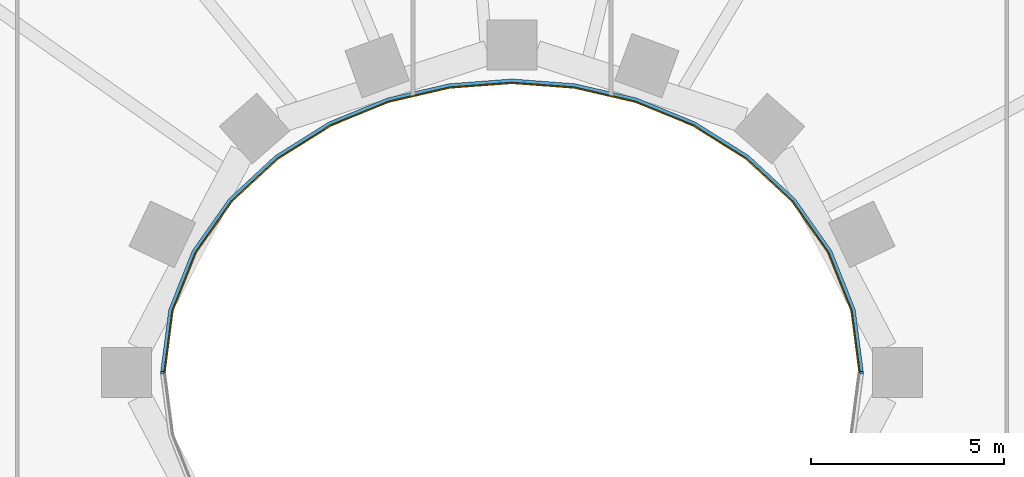
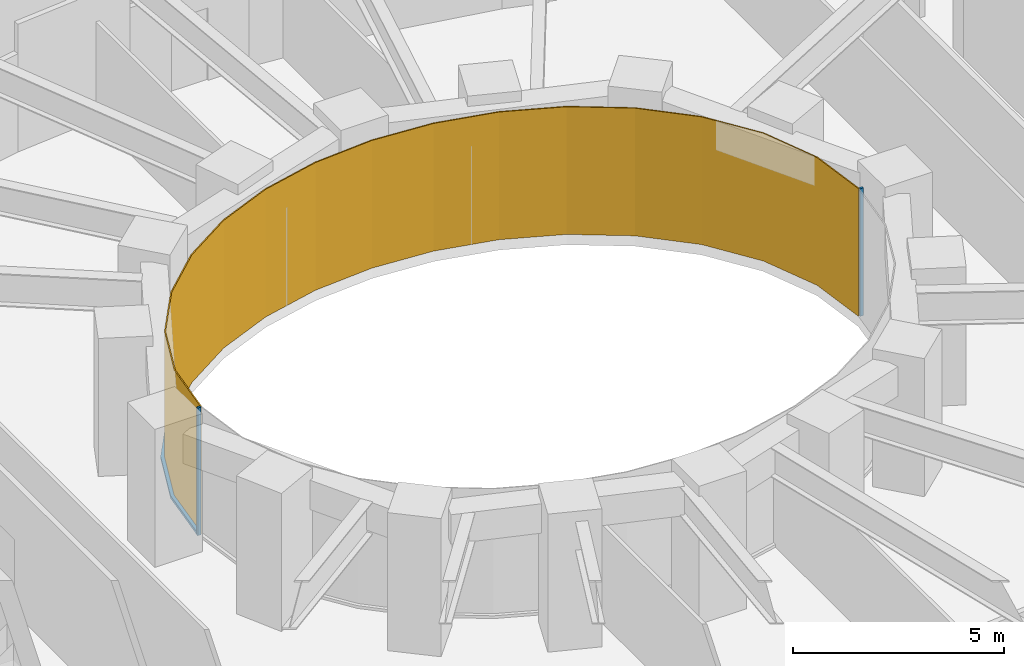
# One storey, part 12 of 16: 3 members, 1 curtain wall.
"""IFC4 building model written with IfcOpenShell, lengths in metres."""

import ifcopenshell
import ifcopenshell.guid

model = None  # the IFC model being written
_history = None  # IfcOwnerHistory: only IFC2X3 demands one
_inside = {}  # id of a spatial element -> (the spatial element, [elements in it])
_under = {}  # id of a project, library or spatial element -> (it, [spatial elements below it])
_declared = {}  # id of a project -> (the project, [libraries it declares])
_typed = {}  # id of a type object -> (the type object, [elements of that type])
_made_of = {}  # id of a material, layer set ... -> (it, [elements and type objects made of it])


def new_model(schema):
    """Start an empty IFC model of exactly this schema.

    Asked for "IFC4X3", IfcOpenShell would pick the latest addendum, in which some entities
    have other attributes; the version numbers below select the first issue.
    IFC2X3 requires an IfcOwnerHistory on every rooted entity: one is made here for all.
    """
    global model, _history
    if schema == "IFC4X3":
        model = ifcopenshell.file(schema_version=(4, 3, 0, 0))
    else:
        model = ifcopenshell.file(schema=schema)
    _inside.clear()
    _under.clear()
    _declared.clear()
    _typed.clear()
    _made_of.clear()
    _history = None
    if model.schema == "IFC2X3":
        org = make("IfcOrganization", Name="unknown")
        user = make(
            "IfcPersonAndOrganization",
            ThePerson=make("IfcPerson", FamilyName="unknown"),
            TheOrganization=org,
        )
        app = make(
            "IfcApplication",
            ApplicationDeveloper=org,
            Version="unknown",
            ApplicationFullName="unknown",
            ApplicationIdentifier="unknown",
        )
        _history = make(
            "IfcOwnerHistory",
            OwningUser=user,
            OwningApplication=app,
            ChangeAction="ADDED",
            CreationDate=0,
        )
    return model


def make(cls, **values):
    """One entity of the class cls with the attributes given. An attribute that is None is left unset."""
    return model.create_entity(
        cls, **{name: value for name, value in values.items() if value is not None}
    )


def rooted(cls, **values):
    """An entity with a GlobalId (a new one), such as an element, a storey or a relation."""
    return make(cls, GlobalId=ifcopenshell.guid.new(), OwnerHistory=_history, **values)


def si_unit(unit_type, name, prefix=None):
    """IfcSIUnit, for example si_unit("LENGTHUNIT", "METRE", prefix="MILLI")."""
    return make("IfcSIUnit", UnitType=unit_type, Prefix=prefix, Name=name)


def assignment(units):
    """IfcUnitAssignment: the units of a project."""
    return None if units is None else make("IfcUnitAssignment", Units=units)


def point(xyz):
    """IfcCartesianPoint."""
    return None if xyz is None else make("IfcCartesianPoint", Coordinates=xyz)


def direction(xyz):
    """IfcDirection."""
    return None if xyz is None else make("IfcDirection", DirectionRatios=xyz)


def frame(location, z_axis=None, x_axis=None):
    """IfcAxis2Placement3D, a coordinate frame: its origin and axes. An axis left out is left unset."""
    return make(
        "IfcAxis2Placement3D",
        Location=point(location),
        Axis=direction(z_axis),
        RefDirection=direction(x_axis),
    )


def frame_2d(location, x_axis=None):
    """IfcAxis2Placement2D, a coordinate frame in the plane: its origin and x axis."""
    return make(
        "IfcAxis2Placement2D", Location=point(location), RefDirection=direction(x_axis)
    )


def origin():
    """The frame at (0, 0, 0) with its axes left unset."""
    return frame((0.0, 0.0, 0.0))


def origin_2d():
    """The frame at (0, 0) in the plane with its x axis left unset."""
    return frame_2d((0.0, 0.0))


def place(relative_to, where):
    """IfcLocalPlacement: puts the frame where relative to a parent placement (None: the world)."""
    return make(
        "IfcLocalPlacement", PlacementRelTo=relative_to, RelativePlacement=where
    )


def context(
    kind, dimensions, precision=None, world=None, true_north=None, identifier=None
):
    """IfcGeometricRepresentationContext, for example the 3D "Model" context."""
    return make(
        "IfcGeometricRepresentationContext",
        ContextIdentifier=identifier,
        ContextType=kind,
        CoordinateSpaceDimension=dimensions,
        Precision=precision,
        WorldCoordinateSystem=world,
        TrueNorth=true_north,
    )


def subcontext(parent, identifier, kind, view, scale=None):
    """IfcGeometricRepresentationSubContext, for example "Body" below "Model"."""
    return make(
        "IfcGeometricRepresentationSubContext",
        ContextIdentifier=identifier,
        ContextType=kind,
        ParentContext=parent,
        TargetScale=scale,
        TargetView=view,
    )


def project(units=None, contexts=None):
    """IfcProject with its units and contexts."""
    return rooted(
        "IfcProject",
        Name="project",
        RepresentationContexts=contexts,
        UnitsInContext=assignment(units),
    )


def spatial(cls, under=None, at=None, **own):
    """A site, building, storey or space (cls), placed at a placement, below another one or the project."""
    s = rooted(cls, ObjectPlacement=at, **own)
    if under is not None:
        _under.setdefault(under.id(), (under, []))[1].append(s)
    return s


def polyline(points):
    """IfcPolyline through the points."""
    return make("IfcPolyline", Points=[point(p) for p in points])


def profile(cls, at=None, kind="AREA", **sizes):
    """A parametric profile (cls). Its sizes go by their IFC names, for example OverallWidth=200.0."""
    return make(cls, ProfileType=kind, Position=at, **sizes)


def rectangle(**sizes):
    """IfcRectangleProfileDef."""
    return profile("IfcRectangleProfileDef", **sizes)


def outline(outer, holes=None, kind="AREA"):
    """IfcArbitraryClosedProfileDef: a profile drawn as a closed curve; with holes, ...WithVoids."""
    if holes is None:
        return make("IfcArbitraryClosedProfileDef", ProfileType=kind, OuterCurve=outer)
    return make(
        "IfcArbitraryProfileDefWithVoids",
        ProfileType=kind,
        OuterCurve=outer,
        InnerCurves=holes,
    )


def extrude(swept, where, along, depth):
    """IfcExtrudedAreaSolid: the profile swept, set in the frame where, extruded along a direction by depth."""
    return make(
        "IfcExtrudedAreaSolid",
        SweptArea=swept,
        Position=where,
        ExtrudedDirection=direction(along),
        Depth=depth,
    )


def shape(context_of_items, identifier, shape_type, items):
    """IfcShapeRepresentation: the items that make up one representation, for example the "Body"."""
    return make(
        "IfcShapeRepresentation",
        ContextOfItems=context_of_items,
        RepresentationIdentifier=identifier,
        RepresentationType=shape_type,
        Items=items,
    )


def material(Name=None, Category=None):
    """IfcMaterial."""
    return make("IfcMaterial", Name=Name, Category=Category)


def layer(
    of_material, thickness, ventilated=None, Name=None, Category=None, Priority=None
):
    """IfcMaterialLayer: one layer of a wall or slab, of a material (None: an air gap)."""
    return make(
        "IfcMaterialLayer",
        Material=of_material,
        LayerThickness=thickness,
        IsVentilated=ventilated,
        Name=Name,
        Category=Category,
        Priority=Priority,
    )


def layer_set(layers, Name=None):
    """IfcMaterialLayerSet."""
    return make("IfcMaterialLayerSet", MaterialLayers=layers, LayerSetName=Name)


def material_profile(
    of_material, cross_section, Name=None, Category=None, Priority=None
):
    """IfcMaterialProfile: a cross section and its material."""
    return make(
        "IfcMaterialProfile",
        Name=Name,
        Material=of_material,
        Profile=cross_section,
        Priority=Priority,
        Category=Category,
    )


def profile_set(profiles, Name=None, composite=None):
    """IfcMaterialProfileSet."""
    return make(
        "IfcMaterialProfileSet",
        Name=Name,
        MaterialProfiles=profiles,
        CompositeProfile=composite,
    )


def made_of(thing, what):
    """Note that an element or type object is made of a material, layer set ...; save() writes the relation."""
    if what is not None:
        _made_of.setdefault(what.id(), (what, []))[1].append(thing)
    return thing


def type_object(cls, material=None, **own):
    """A type object (cls), such as IfcWallType, which elements share."""
    return made_of(rooted(cls, **own), material)


def element(
    cls,
    number,
    at=None,
    inside=None,
    cuts=None,
    type_object=None,
    material=None,
    context=None,
    identifier="Body",
    shape_type=None,
    held_by="IfcProductDefinitionShape",
    body=None,
    shapes=None,
    **own,
):
    """One element of the class cls, such as IfcWall. Its Tag is "e" and its number.

    at: its placement. inside: the storey or other place that contains it. cuts: it is an
    opening in that element (IfcRelVoidsElement). A single representation is given by context,
    identifier, shape_type and body (its items); several are given by shapes. held_by: the class
    of the entity that holds the representations. save() writes the other relations.
    """
    e = rooted(cls, Tag="e%d" % number, ObjectPlacement=at, **own)
    if body is not None:
        shapes = [shape(context, identifier, shape_type, body)]
    if shapes is not None:
        e.Representation = make(held_by, Representations=shapes)
    if inside is not None:
        _inside.setdefault(inside.id(), (inside, []))[1].append(e)
    if cuts is not None:
        rooted(
            "IfcRelVoidsElement", RelatingBuildingElement=cuts, RelatedOpeningElement=e
        )
    if type_object is not None:
        _typed.setdefault(type_object.id(), (type_object, []))[1].append(e)
    return made_of(e, material)


def aggregate(whole, parts):
    """IfcRelAggregates: a whole, such as a stair, and the parts it consists of."""
    return rooted("IfcRelAggregates", RelatingObject=whole, RelatedObjects=parts)


def save(model, path):
    """Write the relations noted so far, then the file.

    IfcRelAggregates (storeys below a building ...), IfcRelContainedInSpatialStructure (elements
    in a storey), IfcRelDefinesByType, IfcRelAssociatesMaterial and IfcRelDeclares: one each for
    every whole, place, type object, material and project.
    """
    for whole, parts in _under.values():
        aggregate(whole, parts)
    for where, things in _inside.values():
        rooted(
            "IfcRelContainedInSpatialStructure",
            RelatedElements=things,
            RelatingStructure=where,
        )
    for kind, things in _typed.values():
        rooted("IfcRelDefinesByType", RelatedObjects=things, RelatingType=kind)
    for what, things in _made_of.values():
        rooted("IfcRelAssociatesMaterial", RelatedObjects=things, RelatingMaterial=what)
    for by, libraries in _declared.values():
        rooted("IfcRelDeclares", RelatingContext=by, RelatedDefinitions=libraries)
    model.write(path)


model = new_model("IFC4")

# Units and contexts
model_context = context("Model", 3, precision=1e-05, world=origin(), true_north=direction((0.0, 1.0)))
body_context = subcontext(model_context, "Body", "Model", "MODEL_VIEW")
ifc_project = project(units=[si_unit("LENGTHUNIT", "METRE"), si_unit("AREAUNIT", "SQUARE_METRE"), si_unit("VOLUMEUNIT", "CUBIC_METRE"), si_unit("PLANEANGLEUNIT", "RADIAN"), si_unit("MASSUNIT", "GRAM", prefix="KILO")], contexts=[model_context])

# Member
ifc_material_1 = material(Name="Steel S355 fire-resisting frame", Category="steel")
ifc_material_profile = material_profile(ifc_material_1, rectangle(XDim=0.090087890625, YDim=0.06005859375, at=origin_2d()), Name="90x60")
ifc_profile_set = profile_set([ifc_material_profile], Name="Steel S355 fire-resisting frame")
member_type_1 = type_object("IfcMemberType", Name="ENV-MULLION-W-90", PredefinedType="MULLION", material=ifc_profile_set)
site_placement = place(None, origin())
building_placement = place(site_placement, origin())
storey_placement = place(building_placement, frame((0.0, 0.0, 66.5)))
member_1_placement = place(storey_placement, frame((9.076904296875, 0.0, 0.0), z_axis=(0.0, 0.0, 1.0), x_axis=(1.0, 0.0, 0.0)))
member_1 = element("IfcMember", 1, at=member_1_placement, type_object=member_type_1, Name="Mullion W well vertex 01", PredefinedType="MULLION", context=body_context, shape_type="SweptSolid", body=[
    extrude(rectangle(XDim=0.090087890625, YDim=0.06005859375, at=origin_2d()), origin(), (0.0, 0.0, 1.0), 3.699951171875),
])

member_2_placement = place(storey_placement, frame((-9.076904296875, 0.0, 0.0), z_axis=(0.0, 0.0, 1.0), x_axis=(-1.0, 0.0, 0.0)))
member_2 = element("IfcMember", 2, at=member_2_placement, type_object=member_type_1, Name="Mullion W well vertex 17", PredefinedType="MULLION", context=body_context, shape_type="SweptSolid", body=[
    extrude(rectangle(XDim=0.090087890625, YDim=0.06005859375, at=origin_2d()), origin(), (0.0, 0.0, 1.0), 3.699951171875),
])

ifc_material_2 = material(Name="Steel S355 fire-resisting frame", Category="steel")
member_type_2 = type_object("IfcMemberType", Name="ENV-TRANSOM-W", PredefinedType="USERDEFINED", material=ifc_material_2)
member_3_placement = place(storey_placement, origin())
member_3 = element("IfcMember", 3, at=member_3_placement, type_object=member_type_2, Name="Transom W well 01-17", ObjectType="TRANSOM", PredefinedType="USERDEFINED", context=body_context, shape_type="SweptSolid", body=[
    extrude(outline(polyline([(9.119384765625, 0.02783203125), (8.910400390625, 1.63623046875), (8.29833984375, 3.167236328125), (7.35107421875, 4.5146484375), (6.1455078125, 5.6337890625), (4.75341796875, 6.50634765625), (3.233642578125, 7.127685546875), (1.635498046875, 7.498779296875), (0.0, 7.622314453125), (-1.635498046875, 7.498779296875), (-3.233642578125, 7.127685546875), (-4.75341796875, 6.50634765625), (-6.1455078125, 5.6337890625), (-7.35107421875, 4.5146484375), (-8.29833984375, 3.167236328125), (-8.910400390625, 1.63623046875), (-9.119384765625, 0.02783203125), (-9.02880859375, 0.02783203125), (-8.822509765625, 1.61328125), (-8.21875, 3.124267578125), (-7.282958984375, 4.455078125), (-6.090576171875, 5.56201171875), (-4.712158203125, 6.426025390625), (-3.206298828125, 7.04150390625), (-1.621826171875, 7.40966796875), (0.0, 7.531982421875), (1.621826171875, 7.40966796875), (3.206298828125, 7.04150390625), (4.712158203125, 6.426025390625), (6.090576171875, 5.56201171875), (7.282958984375, 4.455078125), (8.21875, 3.124267578125), (8.822509765625, 1.61328125), (9.02880859375, 0.02783203125), (9.119384765625, 0.02783203125)])), origin(), (0.0, 0.0, 1.0), 0.080078125),
])

# Site, building, storey
site = spatial("IfcSite", under=ifc_project, at=site_placement, CompositionType="ELEMENT")
building = spatial("IfcBuilding", under=site, at=building_placement, Name="Noorbagh Ring Tower", CompositionType="ELEMENT")
storey = spatial("IfcBuildingStorey", under=building, at=storey_placement, Name="L14", CompositionType="ELEMENT", Elevation=66.5)

# Curtain wall
ifc_material_3 = material(Name="Glass fire-resisting E60 laminated", Category="glass")
ifc_layer = layer(ifc_material_3, 0.031982421875)
ifc_layer_set = layer_set([ifc_layer], Name="Glass fire-resisting E60 laminated")
curtain_wall_type = type_object("IfcCurtainWallType", Name="ENV-CW-W", PredefinedType="NOTDEFINED", material=ifc_layer_set)
curtain_wall_placement = place(storey_placement, origin())
curtain_wall = element("IfcCurtainWall", 4, at=curtain_wall_placement, inside=storey, type_object=curtain_wall_type, Name="Curtain wall W W01", PredefinedType="NOTDEFINED", context=body_context, shape_type="SweptSolid", body=[
    extrude(outline(polyline([(9.0322265625, 0.0), (8.822509765625, 1.61328125), (8.21875, 3.124267578125), (7.282958984375, 4.455078125), (6.090576171875, 5.56201171875), (4.712158203125, 6.426025390625), (3.206298828125, 7.04150390625), (1.621826171875, 7.40966796875), (0.0, 7.531982421875), (-1.621826171875, 7.40966796875), (-3.206298828125, 7.04150390625), (-4.712158203125, 6.426025390625), (-6.090576171875, 5.56201171875), (-7.282958984375, 4.455078125), (-8.21875, 3.124267578125), (-8.822509765625, 1.61328125), (-9.0322265625, 0.0), (-9.0, 0.0), (-8.79150390625, 1.605224609375), (-8.1904296875, 3.10888671875), (-7.2587890625, 4.43408203125), (-6.071044921875, 5.53662109375), (-4.697509765625, 6.3974609375), (-3.196533203125, 7.010986328125), (-1.6171875, 7.3779296875), (0.0, 7.5), (1.6171875, 7.3779296875), (3.196533203125, 7.010986328125), (4.697509765625, 6.3974609375), (6.071044921875, 5.53662109375), (7.2587890625, 4.43408203125), (8.1904296875, 3.10888671875), (8.79150390625, 1.605224609375), (9.0, 0.0), (9.0322265625, 0.0)])), origin(), (0.0, 0.0, 1.0), 3.699951171875),
])

aggregate(curtain_wall, [member_1, member_2, member_3])

save(model, "model.ifc")
